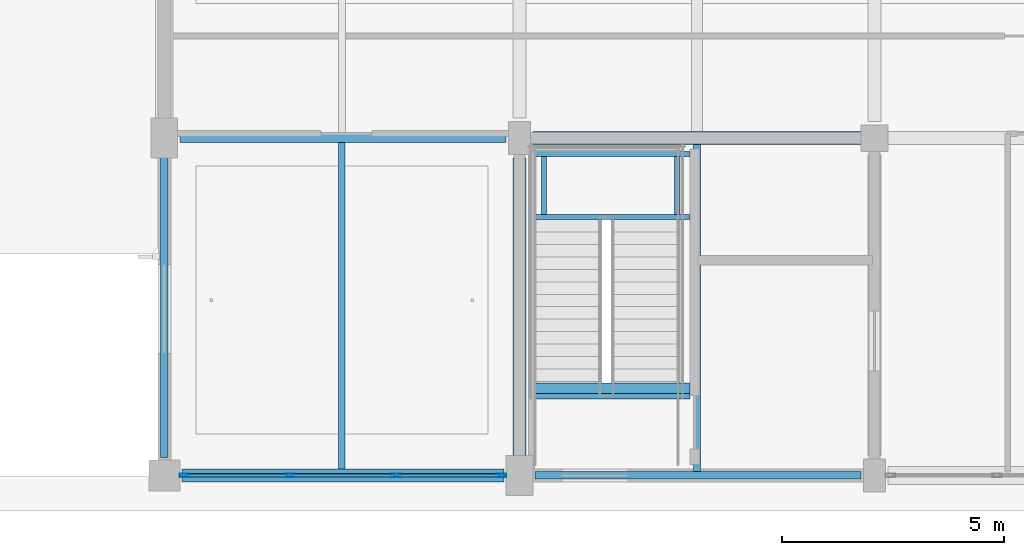
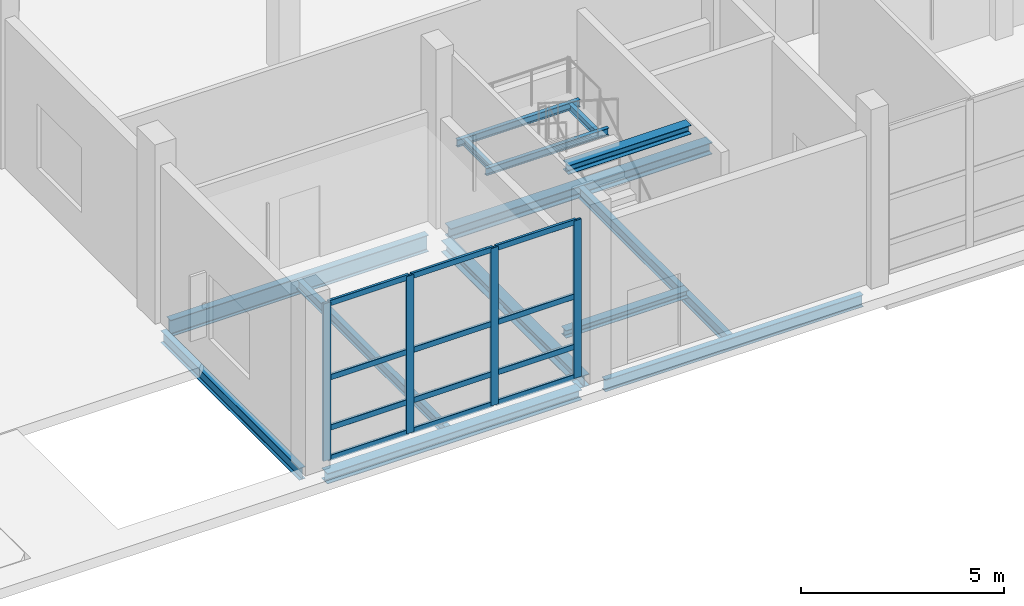
# One storey, part 14 of 126: 16 members, 14 beams, 1 element without a shape of its own.
"""IFC4 building model written with IfcOpenShell, lengths in metres."""

from ifc_helpers import new_model, si_unit, direction, frame, origin, origin_2d, place, context, subcontext, project, spatial, hollow_rectangle, i_section, extrude, material, material_profile, profile_set, type_object, element, aggregate, save


model = new_model("IFC4")

# Units and contexts
model_context = context("Model", 3, precision=1e-05, world=origin(), true_north=direction((0.0, 1.0)))
body_context = subcontext(model_context, "Body", "Model", "MODEL_VIEW")
ifc_project = project(units=[si_unit("LENGTHUNIT", "METRE"), si_unit("AREAUNIT", "SQUARE_METRE"), si_unit("VOLUMEUNIT", "CUBIC_METRE"), si_unit("PLANEANGLEUNIT", "RADIAN"), si_unit("MASSUNIT", "GRAM", prefix="KILO")], contexts=[model_context])

# Site, building, storey
site_placement = place(None, origin())
site = spatial("IfcSite", under=ifc_project, at=site_placement, CompositionType="ELEMENT")
building_placement = place(site_placement, origin())
building = spatial("IfcBuilding", under=site, at=building_placement, Name="Khelvaren Railside Concert Hall", CompositionType="ELEMENT")
storey_placement = place(building_placement, origin())
storey = spatial("IfcBuildingStorey", under=building, at=storey_placement, Name="L00", CompositionType="ELEMENT", Elevation=0.0)

# Beams
ifc_material_1 = material(Name="Steel S355", Category="steel")
ifc_material_profile_1 = material_profile(ifc_material_1, i_section(OverallWidth=0.239990234375, OverallDepth=0.22998046875, WebThickness=0.007568359375, FlangeThickness=0.011962890625, FilletRadius=0.02099609375, at=origin_2d()), Name="HEA 240")
ifc_profile_set_1 = profile_set([ifc_material_profile_1], Name="Steel S355")
beam_type_1 = type_object("IfcBeamType", Name="BM42", PredefinedType="BEAM", material=ifc_profile_set_1)
beam_1_placement = place(storey_placement, frame((72.344970703125, 1.960693359375, -0.114990234375), z_axis=(1.0, 0.0, 0.0), x_axis=(0.0, 1.0, 0.0)))
element("IfcBeam", 1, at=beam_1_placement, inside=storey, type_object=beam_type_1, Name="ST-05 L00 Stair Foot Trimmer Beam", PredefinedType="BEAM", context=body_context, shape_type="SweptSolid", body=[
    extrude(i_section(OverallWidth=0.239990234375, OverallDepth=0.22998046875, WebThickness=0.007568359375, FlangeThickness=0.011962890625, FilletRadius=0.02099609375, at=origin_2d()), origin(), (0.0, 0.0, 1.0), 3.4951171875),
])
ifc_material_profile_2 = material_profile(ifc_material_1, i_section(OverallWidth=0.199951171875, OverallDepth=0.5, WebThickness=0.01025390625, FlangeThickness=0.01611328125, FilletRadius=0.02099609375, at=origin_2d()), Name="IPE 500")
ifc_profile_set_2 = profile_set([ifc_material_profile_2], Name="Steel S355")
beam_type_2 = type_object("IfcBeamType", Name="BM62", PredefinedType="BEAM", material=ifc_profile_set_2)
beam_2_placement = place(storey_placement, frame((64.35009765625, 7.60009765625, -0.570068359375), z_axis=(1.0, 0.0, 0.0), x_axis=(0.0, 1.0, 0.0)))
element("IfcBeam", 2, at=beam_2_placement, inside=storey, type_object=beam_type_2, Name="V3 L00 Beam X2.1", PredefinedType="BEAM", context=body_context, shape_type="SweptSolid", body=[
    extrude(i_section(OverallWidth=0.199951171875, OverallDepth=0.5, WebThickness=0.01025390625, FlangeThickness=0.01611328125, FilletRadius=0.02099609375, at=origin_2d()), origin(), (0.0, 0.0, 1.0), 7.349853515625),
])
ifc_material_profile_3 = material_profile(ifc_material_1, i_section(OverallWidth=0.300048828125, OverallDepth=0.35009765625, WebThickness=0.010009765625, FlangeThickness=0.017578125, FilletRadius=0.027099609375, at=origin_2d()), Name="HEA 360")
ifc_profile_set_3 = profile_set([ifc_material_profile_3], Name="Steel S355")
beam_type_3 = type_object("IfcBeamType", Name="BM73", PredefinedType="BEAM", material=ifc_profile_set_3)
beam_3_placement = place(storey_placement, frame((72.300048828125, 7.60009765625, -0.4951171875), z_axis=(1.0, 0.0, 0.0), x_axis=(0.0, 1.0, 0.0)))
element("IfcBeam", 3, at=beam_3_placement, inside=storey, type_object=beam_type_3, Name="V3 L00 Beam X2.2", PredefinedType="BEAM", context=body_context, shape_type="SweptSolid", body=[
    extrude(i_section(OverallWidth=0.300048828125, OverallDepth=0.35009765625, WebThickness=0.010009765625, FlangeThickness=0.017578125, FilletRadius=0.027099609375, at=origin_2d()), origin(), (0.0, 0.0, 1.0), 7.449951171875),
])
beam_4_placement = place(storey_placement, frame((72.0, 0.35009765625, -0.4951171875), z_axis=(0.0, 1.0, 0.0), x_axis=(-1.0, 0.0, 0.0)))
element("IfcBeam", 4, at=beam_4_placement, inside=storey, type_object=beam_type_3, Name="V3 L00 Beam Y2.1", PredefinedType="BEAM", context=body_context, shape_type="SweptSolid", body=[
    extrude(i_section(OverallWidth=0.300048828125, OverallDepth=0.35009765625, WebThickness=0.010009765625, FlangeThickness=0.017578125, FilletRadius=0.027099609375, at=origin_2d()), origin(), (0.0, 0.0, 1.0), 6.7998046875),
])
ifc_material_profile_4 = material_profile(ifc_material_1, i_section(OverallWidth=0.110107421875, OverallDepth=0.219970703125, WebThickness=0.005859375, FlangeThickness=0.00927734375, FilletRadius=0.011962890625, at=origin_2d()), Name="IPE 220")
ifc_profile_set_4 = profile_set([ifc_material_profile_4], Name="Steel S355")
beam_type_4 = type_object("IfcBeamType", Name="BM87", PredefinedType="BEAM", material=ifc_profile_set_4)
for number, where, z_axis, x_axis, name in (
    (5, (72.344970703125, 5.824951171875, 2.389892578125), (1.0, 0.0, 0.0), (0.0, 1.0, 0.0), "ST-05 L00 Half-Landing Front Beam"),
    (6, (72.344970703125, 7.239990234375, 2.389892578125), (1.0, 0.0, 0.0), (0.0, 1.0, 0.0), "ST-05 L00 Half-Landing Rear Beam"),
):
    element("IfcBeam", number, at=place(storey_placement, frame(where, z_axis=z_axis, x_axis=x_axis)), inside=storey, type_object=beam_type_4, Name=name, PredefinedType="BEAM", context=body_context, shape_type="SweptSolid", body=[
        extrude(i_section(OverallWidth=0.110107421875, OverallDepth=0.219970703125, WebThickness=0.005859375, FlangeThickness=0.00927734375, FilletRadius=0.011962890625, at=origin_2d()), origin(), (0.0, 0.0, 1.0), 3.4951171875),
    ])
for number, where, z_axis, x_axis, name in (
    (7, (72.550048828125, 5.8798828125, 2.389892578125), (0.0, 1.0, 0.0), (-1.0, 0.0, 0.0), "ST-05 L00 Half-Landing Side Tie W"),
    (8, (75.550048828125, 5.8798828125, 2.389892578125), (0.0, 1.0, 0.0), (-1.0, 0.0, 0.0), "ST-05 L00 Half-Landing Side Tie E"),
):
    element("IfcBeam", number, at=place(storey_placement, frame(where, z_axis=z_axis, x_axis=x_axis)), inside=storey, type_object=beam_type_4, Name=name, PredefinedType="BEAM", context=body_context, shape_type="SweptSolid", body=[
        extrude(i_section(OverallWidth=0.110107421875, OverallDepth=0.219970703125, WebThickness=0.005859375, FlangeThickness=0.00927734375, FilletRadius=0.011962890625, at=origin_2d()), origin(), (0.0, 0.0, 1.0), 1.30517578125),
    ])
ifc_material_profile_5 = material_profile(ifc_material_1, i_section(OverallWidth=0.280029296875, OverallDepth=0.27001953125, WebThickness=0.008056640625, FlangeThickness=0.012939453125, FilletRadius=0.02392578125, at=origin_2d()), Name="HEA 280")
ifc_profile_set_5 = profile_set([ifc_material_profile_5], Name="Steel S355")
beam_type_5 = type_object("IfcBeamType", Name="BM93", PredefinedType="BEAM", material=ifc_profile_set_5)
beam_5_placement = place(storey_placement, frame((72.344970703125, 1.860107421875, 4.90673828125), z_axis=(1.0, 0.0, 0.0), x_axis=(0.0, 1.0, 0.0)))
element("IfcBeam", 9, at=beam_5_placement, inside=storey, type_object=beam_type_5, Name="ST-05 L00 Stair Top Arrival Trimmer Beam", PredefinedType="BEAM", context=body_context, shape_type="SweptSolid", body=[
    extrude(i_section(OverallWidth=0.280029296875, OverallDepth=0.27001953125, WebThickness=0.008056640625, FlangeThickness=0.012939453125, FilletRadius=0.02392578125, at=origin_2d()), origin(), (0.0, 0.0, 1.0), 3.4951171875),
])

# Curtain wall, members
ifc_material_2 = material(Name="Triple-glazed solar-control glass", Category="glass")
curtain_wall_type = type_object("IfcCurtainWallType", Name="CW80", PredefinedType="USERDEFINED", material=ifc_material_2)
curtain_wall_placement = place(storey_placement, origin())
curtain_wall = element("IfcCurtainWall", 10, at=curtain_wall_placement, inside=storey, type_object=curtain_wall_type, Name="Unitised Curtain Wall CW-V3-L00-S-64", ObjectType="UNITISED CURTAIN WALL", PredefinedType="USERDEFINED")
ifc_material_3 = material(Name="Anodised architectural aluminium 6063-T6", Category="aluminium")
ifc_material_profile_6 = material_profile(ifc_material_3, hollow_rectangle(XDim=0.074951171875, YDim=0.219970703125, WallThickness=0.0048828125, InnerFilletRadius=0.0029296875, OuterFilletRadius=0.0048828125, at=origin_2d()), Name="CWM 75x220x5")
ifc_profile_set_6 = profile_set([ifc_material_profile_6], Name="Anodised architectural aluminium 6063-T6")
member_type_1 = type_object("IfcMemberType", Name="CWM13", PredefinedType="MULLION", material=ifc_profile_set_6)
member_1_placement = place(storey_placement, frame((71.590087890625, 0.0, 0.0), z_axis=(0.0, 0.0, 1.0), x_axis=(0.0, -1.0, 0.0)))
member_1 = element("IfcMember", 11, at=member_1_placement, type_object=member_type_1, Name="CW80 mullion 1", PredefinedType="MULLION", context=body_context, shape_type="SweptSolid", body=[
    extrude(hollow_rectangle(XDim=0.074951171875, YDim=0.219970703125, WallThickness=0.0048828125, InnerFilletRadius=0.0029296875, OuterFilletRadius=0.0048828125, at=origin_2d()), origin(), (0.0, 0.0, 1.0), 4.739990234375),
])
member_2_placement = place(storey_placement, frame((69.225830078125, 0.0, 0.0), z_axis=(0.0, 0.0, 1.0), x_axis=(0.0, -1.0, 0.0)))
member_2 = element("IfcMember", 12, at=member_2_placement, type_object=member_type_1, Name="CW80 mullion 2", PredefinedType="MULLION", context=body_context, shape_type="SweptSolid", body=[
    extrude(hollow_rectangle(XDim=0.074951171875, YDim=0.219970703125, WallThickness=0.0048828125, InnerFilletRadius=0.0029296875, OuterFilletRadius=0.0048828125, at=origin_2d()), origin(), (0.0, 0.0, 1.0), 4.739990234375),
])
member_3_placement = place(storey_placement, frame((66.82421875, 0.0, 0.0), z_axis=(0.0, 0.0, 1.0), x_axis=(0.0, -1.0, 0.0)))
member_3 = element("IfcMember", 13, at=member_3_placement, type_object=member_type_1, Name="CW80 mullion 3", PredefinedType="MULLION", context=body_context, shape_type="SweptSolid", body=[
    extrude(hollow_rectangle(XDim=0.074951171875, YDim=0.219970703125, WallThickness=0.0048828125, InnerFilletRadius=0.0029296875, OuterFilletRadius=0.0048828125, at=origin_2d()), origin(), (0.0, 0.0, 1.0), 4.739990234375),
])
member_4_placement = place(storey_placement, frame((64.4599609375, 0.0, 0.0), z_axis=(0.0, 0.0, 1.0), x_axis=(0.0, -1.0, 0.0)))
member_4 = element("IfcMember", 14, at=member_4_placement, type_object=member_type_1, Name="CW80 mullion 4", PredefinedType="MULLION", context=body_context, shape_type="SweptSolid", body=[
    extrude(hollow_rectangle(XDim=0.074951171875, YDim=0.219970703125, WallThickness=0.0048828125, InnerFilletRadius=0.0029296875, OuterFilletRadius=0.0048828125, at=origin_2d()), origin(), (0.0, 0.0, 1.0), 4.739990234375),
])
ifc_material_profile_7 = material_profile(ifc_material_3, hollow_rectangle(XDim=0.074951171875, YDim=0.1650390625, WallThickness=0.00390625, InnerFilletRadius=0.001953125, OuterFilletRadius=0.00390625, at=origin_2d()), Name="CWT 75x165x4")
ifc_profile_set_7 = profile_set([ifc_material_profile_7], Name="Anodised architectural aluminium 6063-T6")
member_type_2 = type_object("IfcMemberType", Name="CWT46", PredefinedType="USERDEFINED", material=ifc_profile_set_7)
member_5_placement = place(storey_placement, frame((71.552490234375, 0.0, 0.03759765625), z_axis=(-1.0, 0.0, 0.0), x_axis=(0.0, -1.0, 0.0)))
member_5 = element("IfcMember", 15, at=member_5_placement, type_object=member_type_2, Name="CW80 transom 1.1", ObjectType="TRANSOM", PredefinedType="USERDEFINED", context=body_context, shape_type="SweptSolid", body=[
    extrude(hollow_rectangle(XDim=0.074951171875, YDim=0.1650390625, WallThickness=0.00390625, InnerFilletRadius=0.001953125, OuterFilletRadius=0.00390625, at=origin_2d()), origin(), (0.0, 0.0, 1.0), 2.2890625),
])
member_6_placement = place(storey_placement, frame((71.552490234375, 0.0, 0.949951171875), z_axis=(-1.0, 0.0, 0.0), x_axis=(0.0, -1.0, 0.0)))
member_6 = element("IfcMember", 16, at=member_6_placement, type_object=member_type_2, Name="CW80 transom 1.2", ObjectType="TRANSOM", PredefinedType="USERDEFINED", context=body_context, shape_type="SweptSolid", body=[
    extrude(hollow_rectangle(XDim=0.074951171875, YDim=0.1650390625, WallThickness=0.00390625, InnerFilletRadius=0.001953125, OuterFilletRadius=0.00390625, at=origin_2d()), origin(), (0.0, 0.0, 1.0), 2.2890625),
])
member_7_placement = place(storey_placement, frame((71.552490234375, 0.0, 2.46484375), z_axis=(-1.0, 0.0, 0.0), x_axis=(0.0, -1.0, 0.0)))
member_7 = element("IfcMember", 17, at=member_7_placement, type_object=member_type_2, Name="CW80 transom 1.3", ObjectType="TRANSOM", PredefinedType="USERDEFINED", context=body_context, shape_type="SweptSolid", body=[
    extrude(hollow_rectangle(XDim=0.074951171875, YDim=0.1650390625, WallThickness=0.00390625, InnerFilletRadius=0.001953125, OuterFilletRadius=0.00390625, at=origin_2d()), origin(), (0.0, 0.0, 1.0), 2.2890625),
])
member_8_placement = place(storey_placement, frame((71.552490234375, 0.0, 4.702392578125), z_axis=(-1.0, 0.0, 0.0), x_axis=(0.0, -1.0, 0.0)))
member_8 = element("IfcMember", 18, at=member_8_placement, type_object=member_type_2, Name="CW80 transom 1.4", ObjectType="TRANSOM", PredefinedType="USERDEFINED", context=body_context, shape_type="SweptSolid", body=[
    extrude(hollow_rectangle(XDim=0.074951171875, YDim=0.1650390625, WallThickness=0.00390625, InnerFilletRadius=0.001953125, OuterFilletRadius=0.00390625, at=origin_2d()), origin(), (0.0, 0.0, 1.0), 2.2890625),
])
member_9_placement = place(storey_placement, frame((69.188232421875, 0.0, 0.03759765625), z_axis=(-1.0, 0.0, 0.0), x_axis=(0.0, -1.0, 0.0)))
member_9 = element("IfcMember", 19, at=member_9_placement, type_object=member_type_2, Name="CW80 transom 2.1", ObjectType="TRANSOM", PredefinedType="USERDEFINED", context=body_context, shape_type="SweptSolid", body=[
    extrude(hollow_rectangle(XDim=0.074951171875, YDim=0.1650390625, WallThickness=0.00390625, InnerFilletRadius=0.001953125, OuterFilletRadius=0.00390625, at=origin_2d()), origin(), (0.0, 0.0, 1.0), 2.32666015625),
])
member_10_placement = place(storey_placement, frame((69.188232421875, 0.0, 0.949951171875), z_axis=(-1.0, 0.0, 0.0), x_axis=(0.0, -1.0, 0.0)))
member_10 = element("IfcMember", 20, at=member_10_placement, type_object=member_type_2, Name="CW80 transom 2.2", ObjectType="TRANSOM", PredefinedType="USERDEFINED", context=body_context, shape_type="SweptSolid", body=[
    extrude(hollow_rectangle(XDim=0.074951171875, YDim=0.1650390625, WallThickness=0.00390625, InnerFilletRadius=0.001953125, OuterFilletRadius=0.00390625, at=origin_2d()), origin(), (0.0, 0.0, 1.0), 2.32666015625),
])
member_11_placement = place(storey_placement, frame((69.188232421875, 0.0, 2.46484375), z_axis=(-1.0, 0.0, 0.0), x_axis=(0.0, -1.0, 0.0)))
member_11 = element("IfcMember", 21, at=member_11_placement, type_object=member_type_2, Name="CW80 transom 2.3", ObjectType="TRANSOM", PredefinedType="USERDEFINED", context=body_context, shape_type="SweptSolid", body=[
    extrude(hollow_rectangle(XDim=0.074951171875, YDim=0.1650390625, WallThickness=0.00390625, InnerFilletRadius=0.001953125, OuterFilletRadius=0.00390625, at=origin_2d()), origin(), (0.0, 0.0, 1.0), 2.32666015625),
])
member_12_placement = place(storey_placement, frame((69.188232421875, 0.0, 4.702392578125), z_axis=(-1.0, 0.0, 0.0), x_axis=(0.0, -1.0, 0.0)))
member_12 = element("IfcMember", 22, at=member_12_placement, type_object=member_type_2, Name="CW80 transom 2.4", ObjectType="TRANSOM", PredefinedType="USERDEFINED", context=body_context, shape_type="SweptSolid", body=[
    extrude(hollow_rectangle(XDim=0.074951171875, YDim=0.1650390625, WallThickness=0.00390625, InnerFilletRadius=0.001953125, OuterFilletRadius=0.00390625, at=origin_2d()), origin(), (0.0, 0.0, 1.0), 2.32666015625),
])
member_13_placement = place(storey_placement, frame((66.78662109375, 0.0, 0.03759765625), z_axis=(-1.0, 0.0, 0.0), x_axis=(0.0, -1.0, 0.0)))
member_13 = element("IfcMember", 23, at=member_13_placement, type_object=member_type_2, Name="CW80 transom 3.1", ObjectType="TRANSOM", PredefinedType="USERDEFINED", context=body_context, shape_type="SweptSolid", body=[
    extrude(hollow_rectangle(XDim=0.074951171875, YDim=0.1650390625, WallThickness=0.00390625, InnerFilletRadius=0.001953125, OuterFilletRadius=0.00390625, at=origin_2d()), origin(), (0.0, 0.0, 1.0), 2.2890625),
])
member_14_placement = place(storey_placement, frame((66.78662109375, 0.0, 0.949951171875), z_axis=(-1.0, 0.0, 0.0), x_axis=(0.0, -1.0, 0.0)))
member_14 = element("IfcMember", 24, at=member_14_placement, type_object=member_type_2, Name="CW80 transom 3.2", ObjectType="TRANSOM", PredefinedType="USERDEFINED", context=body_context, shape_type="SweptSolid", body=[
    extrude(hollow_rectangle(XDim=0.074951171875, YDim=0.1650390625, WallThickness=0.00390625, InnerFilletRadius=0.001953125, OuterFilletRadius=0.00390625, at=origin_2d()), origin(), (0.0, 0.0, 1.0), 2.2890625),
])
member_15_placement = place(storey_placement, frame((66.78662109375, 0.0, 2.46484375), z_axis=(-1.0, 0.0, 0.0), x_axis=(0.0, -1.0, 0.0)))
member_15 = element("IfcMember", 25, at=member_15_placement, type_object=member_type_2, Name="CW80 transom 3.3", ObjectType="TRANSOM", PredefinedType="USERDEFINED", context=body_context, shape_type="SweptSolid", body=[
    extrude(hollow_rectangle(XDim=0.074951171875, YDim=0.1650390625, WallThickness=0.00390625, InnerFilletRadius=0.001953125, OuterFilletRadius=0.00390625, at=origin_2d()), origin(), (0.0, 0.0, 1.0), 2.2890625),
])
member_16_placement = place(storey_placement, frame((66.78662109375, 0.0, 4.702392578125), z_axis=(-1.0, 0.0, 0.0), x_axis=(0.0, -1.0, 0.0)))
member_16 = element("IfcMember", 26, at=member_16_placement, type_object=member_type_2, Name="CW80 transom 3.4", ObjectType="TRANSOM", PredefinedType="USERDEFINED", context=body_context, shape_type="SweptSolid", body=[
    extrude(hollow_rectangle(XDim=0.074951171875, YDim=0.1650390625, WallThickness=0.00390625, InnerFilletRadius=0.001953125, OuterFilletRadius=0.00390625, at=origin_2d()), origin(), (0.0, 0.0, 1.0), 2.2890625),
])
aggregate(curtain_wall, [member_1, member_2, member_3, member_4, member_5, member_6, member_7, member_8, member_9, member_10, member_11, member_12, member_13, member_14, member_15, member_16])

# Beams
ifc_material_profile_8 = material_profile(ifc_material_1, i_section(OverallWidth=0.14990234375, OverallDepth=0.300048828125, WebThickness=0.007080078125, FlangeThickness=0.0107421875, FilletRadius=0.014892578125, at=origin_2d()), Name="IPE 300")
ifc_profile_set_8 = profile_set([ifc_material_profile_8], Name="Steel S355")
beam_type_6 = type_object("IfcBeamType", Name="JS26", PredefinedType="JOIST", material=ifc_profile_set_8)
beam_6_placement = place(storey_placement, frame((68.0, 0.14990234375, -0.469970703125), z_axis=(0.0, 1.0, 0.0), x_axis=(-1.0, 0.0, 0.0)))
element("IfcBeam", 27, at=beam_6_placement, inside=storey, type_object=beam_type_6, Name="V3 L00 Secondary Joist 1.1", PredefinedType="JOIST", context=body_context, shape_type="SweptSolid", body=[
    extrude(i_section(OverallWidth=0.14990234375, OverallDepth=0.300048828125, WebThickness=0.007080078125, FlangeThickness=0.0107421875, FilletRadius=0.014892578125, at=origin_2d()), origin(), (0.0, 0.0, 1.0), 7.35009765625),
])
ifc_material_profile_9 = material_profile(ifc_material_1, i_section(OverallWidth=0.159912109375, OverallDepth=0.330078125, WebThickness=0.007568359375, FlangeThickness=0.011474609375, FilletRadius=0.01806640625, at=origin_2d()), Name="IPE 330")
ifc_profile_set_9 = profile_set([ifc_material_profile_9], Name="Steel S355")
beam_type_7 = type_object("IfcBeamType", Name="JS65", PredefinedType="JOIST", material=ifc_profile_set_9)
beam_7_placement = place(storey_placement, frame((76.0, 0.0849609375, -0.485107421875), z_axis=(0.0, 1.0, 0.0), x_axis=(-1.0, 0.0, 0.0)))
element("IfcBeam", 28, at=beam_7_placement, inside=storey, type_object=beam_type_7, Name="V3 L00 Secondary Joist 2.1", PredefinedType="JOIST", context=body_context, shape_type="SweptSolid", body=[
    extrude(i_section(OverallWidth=0.159912109375, OverallDepth=0.330078125, WebThickness=0.007568359375, FlangeThickness=0.011474609375, FilletRadius=0.01806640625, at=origin_2d()), origin(), (0.0, 0.0, 1.0), 7.364990234375),
])
ifc_material_profile_10 = material_profile(ifc_material_1, i_section(OverallWidth=0.300048828125, OverallDepth=0.31005859375, WebThickness=0.009033203125, FlangeThickness=0.015380859375, FilletRadius=0.027099609375, at=origin_2d()), Name="HEA 320")
ifc_profile_set_10 = profile_set([ifc_material_profile_10], Name="Steel S355")
beam_type_8 = type_object("IfcBeamType", Name="SP66", PredefinedType="SPANDREL", material=ifc_profile_set_10)
beam_8_placement = place(storey_placement, frame((64.39990234375, 0.0, -0.47509765625), z_axis=(1.0, 0.0, 0.0), x_axis=(0.0, 1.0, 0.0)))
element("IfcBeam", 29, at=beam_8_placement, inside=storey, type_object=beam_type_8, Name="V3 L00 Spandrel X1.1", PredefinedType="SPANDREL", context=body_context, shape_type="SweptSolid", body=[
    extrude(i_section(OverallWidth=0.300048828125, OverallDepth=0.31005859375, WebThickness=0.009033203125, FlangeThickness=0.015380859375, FilletRadius=0.027099609375, at=origin_2d()), origin(), (0.0, 0.0, 1.0), 7.25),
])
ifc_material_profile_11 = material_profile(ifc_material_1, i_section(OverallWidth=0.169921875, OverallDepth=0.360107421875, WebThickness=0.008056640625, FlangeThickness=0.0126953125, FilletRadius=0.01806640625, at=origin_2d()), Name="IPE 360")
ifc_profile_set_11 = profile_set([ifc_material_profile_11], Name="Steel S355")
beam_type_9 = type_object("IfcBeamType", Name="SP74", PredefinedType="SPANDREL", material=ifc_profile_set_11)
beam_9_placement = place(storey_placement, frame((72.35009765625, 0.0, -0.5), z_axis=(1.0, 0.0, 0.0), x_axis=(0.0, 1.0, 0.0)))
element("IfcBeam", 30, at=beam_9_placement, inside=storey, type_object=beam_type_9, Name="V3 L00 Spandrel X1.2", PredefinedType="SPANDREL", context=body_context, shape_type="SweptSolid", body=[
    extrude(i_section(OverallWidth=0.169921875, OverallDepth=0.360107421875, WebThickness=0.008056640625, FlangeThickness=0.0126953125, FilletRadius=0.01806640625, at=origin_2d()), origin(), (0.0, 0.0, 1.0), 7.349853515625),
])
beam_10_placement = place(storey_placement, frame((64.0, 0.39990234375, -0.5), z_axis=(0.0, 1.0, 0.0), x_axis=(-1.0, 0.0, 0.0)))
element("IfcBeam", 31, at=beam_10_placement, inside=storey, type_object=beam_type_9, Name="V3 L00 Spandrel Y1.1", PredefinedType="SPANDREL", context=body_context, shape_type="SweptSolid", body=[
    extrude(i_section(OverallWidth=0.169921875, OverallDepth=0.360107421875, WebThickness=0.008056640625, FlangeThickness=0.0126953125, FilletRadius=0.01806640625, at=origin_2d()), origin(), (0.0, 0.0, 1.0), 6.85009765625),
])

save(model, "model.ifc")
